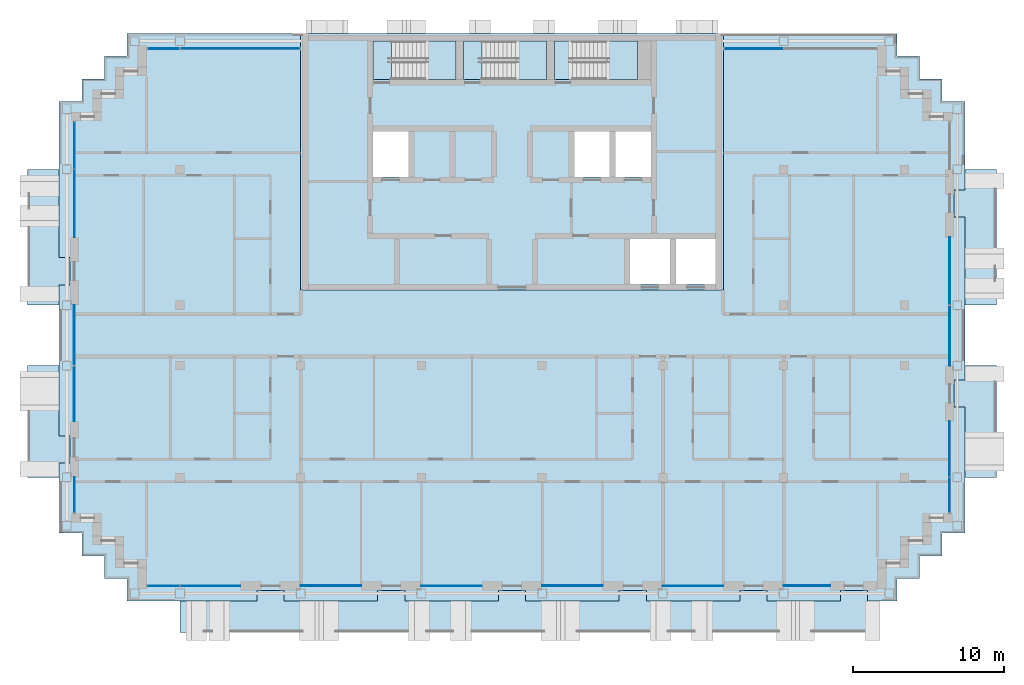
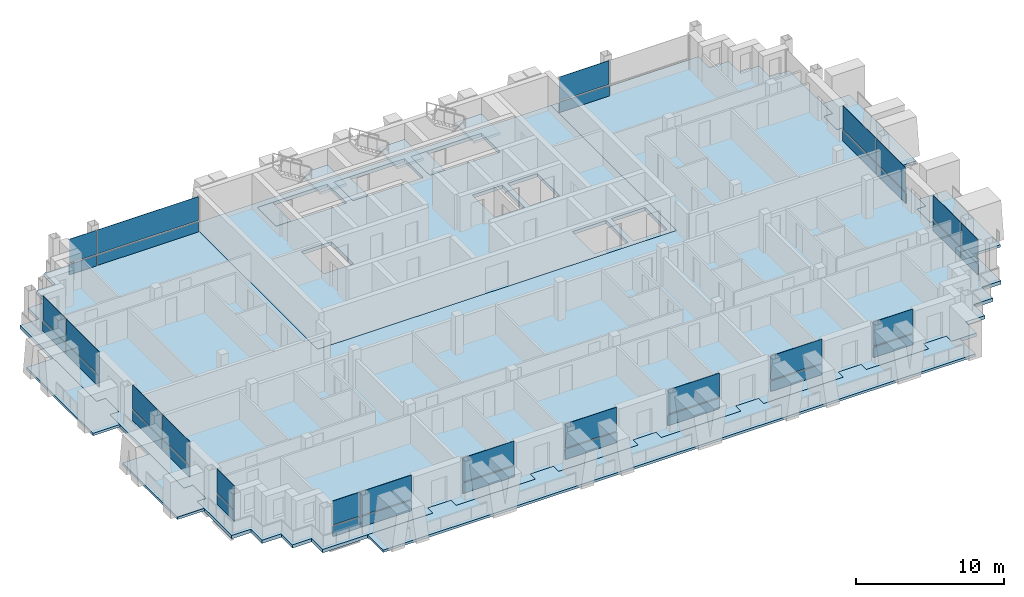
# One storey, part 6 of 15: 38 plates, 13 slabs, 16 elements without a shape of their own.
"""IFC4 building model written with IfcOpenShell, lengths in metres."""

from ifc_helpers import new_model, si_unit, direction, frame, origin, origin_2d, place, context, subcontext, project, spatial, polyline, rectangle, outline, extrude, material, layer, layer_set, type_object, element, aggregate, save


model = new_model("IFC4")

# Units and contexts
model_context = context("Model", 3, precision=1e-05, world=origin(), true_north=direction((0.0, 1.0)))
body_context = subcontext(model_context, "Body", "Model", "MODEL_VIEW")
ifc_project = project(units=[si_unit("LENGTHUNIT", "METRE"), si_unit("AREAUNIT", "SQUARE_METRE"), si_unit("VOLUMEUNIT", "CUBIC_METRE"), si_unit("PLANEANGLEUNIT", "RADIAN"), si_unit("MASSUNIT", "GRAM", prefix="KILO")], contexts=[model_context])

# Site, building, storey
site_placement = place(None, origin())
site = spatial("IfcSite", under=ifc_project, at=site_placement, CompositionType="ELEMENT")
building_placement = place(site_placement, origin())
building = spatial("IfcBuilding", under=site, at=building_placement, Name="Vidyagriha Tower", CompositionType="ELEMENT")
storey_placement = place(building_placement, frame((0.0, 0.0, 210.800048828125)))
storey = spatial("IfcBuildingStorey", under=building, at=storey_placement, Name="L54", CompositionType="ELEMENT", Elevation=210.800048828125)

# Curtain wall, plate
ifc_material_1 = material(Name="Aluminium and glass curtain wall", Category="aluminium")
curtain_wall_type = type_object("IfcCurtainWallType", Name="Dwelling skin unitised curtain wall", PredefinedType="USERDEFINED", material=ifc_material_1)
curtain_wall_1_placement = place(storey_placement, origin())
curtain_wall_1 = element("IfcCurtainWall", 1, at=curtain_wall_1_placement, inside=storey, type_object=curtain_wall_type, Name="CW1 dwelling skin", ObjectType="UNITISED", PredefinedType="USERDEFINED")
ifc_material_2 = material(Name="Glass dark ceramic-fritted spandrel", Category="glass")
ifc_layer_1 = layer(ifc_material_2, 0.0400390625)
ifc_layer_set_1 = layer_set([ifc_layer_1], Name="Glass dark ceramic-fritted spandrel")
plate_type_1 = type_object("IfcPlateType", Name="Ceramic-fritted spandrel panel", PredefinedType="CURTAIN_PANEL", material=ifc_layer_set_1)
plate_1_placement = place(storey_placement, frame((-18.017578125, 19.0, 0.0), z_axis=(0.0, 0.0, 1.0), x_axis=(-1.0, 0.0, 0.0)))
plate_1 = element("IfcPlate", 2, at=plate_1_placement, type_object=plate_type_1, Name="CW1 panel 1.1", PredefinedType="CURTAIN_PANEL", context=body_context, shape_type="SweptSolid", body=[
    extrude(rectangle(XDim=7.89501953125, YDim=0.0400390625, at=origin_2d()), origin(), (0.0, 0.0, 1.0), 0.85009765625),
])

# Curtain wall, plates
curtain_wall_2_placement = place(storey_placement, origin())
curtain_wall_2 = element("IfcCurtainWall", 3, at=curtain_wall_2_placement, inside=storey, type_object=curtain_wall_type, Name="CW1 dwelling skin", ObjectType="UNITISED", PredefinedType="USERDEFINED")
plate_2_placement = place(storey_placement, frame((-29.0, 12.58251953125, 0.0), z_axis=(0.0, 0.0, 1.0), x_axis=(0.0, -1.0, 0.0)))
plate_2 = element("IfcPlate", 4, at=plate_2_placement, type_object=plate_type_1, Name="CW1 panel 1.1", PredefinedType="CURTAIN_PANEL", context=body_context, shape_type="SweptSolid", body=[
    extrude(rectangle(XDim=3.094970703125, YDim=0.0400390625, at=origin_2d()), origin(), (0.0, 0.0, 1.0), 0.85009765625),
])
plate_3_placement = place(storey_placement, frame((-29.0, 8.732421875, 0.0), z_axis=(0.0, 0.0, 1.0), x_axis=(0.0, -1.0, 0.0)))
plate_3 = element("IfcPlate", 5, at=plate_3_placement, type_object=plate_type_1, Name="CW1 panel 2.1", PredefinedType="CURTAIN_PANEL", context=body_context, shape_type="SweptSolid", body=[
    extrude(rectangle(XDim=4.465087890625, YDim=0.0400390625, at=origin_2d()), origin(), (0.0, 0.0, 1.0), 0.85009765625),
])

# Curtain wall, plate
curtain_wall_3_placement = place(storey_placement, origin())
curtain_wall_3 = element("IfcCurtainWall", 6, at=curtain_wall_3_placement, inside=storey, type_object=curtain_wall_type, Name="CW1 dwelling skin", ObjectType="UNITISED", PredefinedType="USERDEFINED")
plate_4_placement = place(storey_placement, frame((-29.0, -10.56494140625, 0.0), z_axis=(0.0, 0.0, 1.0), x_axis=(0.0, -1.0, 0.0)))
plate_4 = element("IfcPlate", 7, at=plate_4_placement, type_object=plate_type_1, Name="CW1 panel 1.1", PredefinedType="CURTAIN_PANEL", context=body_context, shape_type="SweptSolid", body=[
    extrude(rectangle(XDim=2.330078125, YDim=0.0400390625, at=origin_2d()), origin(), (0.0, 0.0, 1.0), 0.85009765625),
])

# Curtain wall, plates
curtain_wall_4_placement = place(storey_placement, origin())
curtain_wall_4 = element("IfcCurtainWall", 8, at=curtain_wall_4_placement, inside=storey, type_object=curtain_wall_type, Name="CW1 dwelling skin", ObjectType="UNITISED", PredefinedType="USERDEFINED")
plate_5_placement = place(storey_placement, frame((-23.08251953125, -16.60009765625, 0.0)))
plate_5 = element("IfcPlate", 9, at=plate_5_placement, type_object=plate_type_1, Name="CW1 panel 1.1", PredefinedType="CURTAIN_PANEL", context=body_context, shape_type="SweptSolid", body=[
    extrude(rectangle(XDim=2.094970703125, YDim=0.0400390625, at=origin_2d()), origin(), (0.0, 0.0, 1.0), 0.85009765625),
])
plate_6_placement = place(storey_placement, frame((-19.982421875, -16.60009765625, 0.0)))
plate_6 = element("IfcPlate", 10, at=plate_6_placement, type_object=plate_type_1, Name="CW1 panel 2.1", PredefinedType="CURTAIN_PANEL", context=body_context, shape_type="SweptSolid", body=[
    extrude(rectangle(XDim=3.965087890625, YDim=0.0400390625, at=origin_2d()), origin(), (0.0, 0.0, 1.0), 0.85009765625),
])

# Curtain wall, plate
curtain_wall_5_placement = place(storey_placement, origin())
curtain_wall_5 = element("IfcCurtainWall", 11, at=curtain_wall_5_placement, inside=storey, type_object=curtain_wall_type, Name="CW1 dwelling skin", ObjectType="UNITISED", PredefinedType="USERDEFINED")
plate_7_placement = place(storey_placement, frame((-4.0, -16.60009765625, 0.0)))
plate_7 = element("IfcPlate", 12, at=plate_7_placement, type_object=plate_type_1, Name="CW1 panel 1.1", PredefinedType="CURTAIN_PANEL", context=body_context, shape_type="SweptSolid", body=[
    extrude(rectangle(XDim=4.0, YDim=0.0400390625, at=origin_2d()), origin(), (0.0, 0.0, 1.0), 0.85009765625),
])

curtain_wall_6_placement = place(storey_placement, origin())
curtain_wall_6 = element("IfcCurtainWall", 13, at=curtain_wall_6_placement, inside=storey, type_object=curtain_wall_type, Name="CW1 dwelling skin", ObjectType="UNITISED", PredefinedType="USERDEFINED")
plate_8_placement = place(storey_placement, frame((12.0, -16.60009765625, 0.0)))
plate_8 = element("IfcPlate", 14, at=plate_8_placement, type_object=plate_type_1, Name="CW1 panel 1.1", PredefinedType="CURTAIN_PANEL", context=body_context, shape_type="SweptSolid", body=[
    extrude(rectangle(XDim=4.0, YDim=0.0400390625, at=origin_2d()), origin(), (0.0, 0.0, 1.0), 0.85009765625),
])

# Curtain wall, plates
curtain_wall_7_placement = place(storey_placement, origin())
curtain_wall_7 = element("IfcCurtainWall", 15, at=curtain_wall_7_placement, inside=storey, type_object=curtain_wall_type, Name="CW1 dwelling skin", ObjectType="UNITISED", PredefinedType="USERDEFINED")
plate_9_placement = place(storey_placement, frame((29.0, -10.58251953125, 0.0), z_axis=(0.0, 0.0, 1.0), x_axis=(0.0, 1.0, 0.0)))
plate_9 = element("IfcPlate", 16, at=plate_9_placement, type_object=plate_type_1, Name="CW1 panel 1.1", PredefinedType="CURTAIN_PANEL", context=body_context, shape_type="SweptSolid", body=[
    extrude(rectangle(XDim=2.294921875, YDim=0.0400390625, at=origin_2d()), origin(), (0.0, 0.0, 1.0), 0.85009765625),
])
plate_10_placement = place(storey_placement, frame((29.0, -7.532470703125, 0.0), z_axis=(0.0, 0.0, 1.0), x_axis=(0.0, 1.0, 0.0)))
plate_10 = element("IfcPlate", 17, at=plate_10_placement, type_object=plate_type_1, Name="CW1 panel 2.1", PredefinedType="CURTAIN_PANEL", context=body_context, shape_type="SweptSolid", body=[
    extrude(rectangle(XDim=3.6650390625, YDim=0.0400390625, at=origin_2d()), origin(), (0.0, 0.0, 1.0), 0.85009765625),
])

# Slab
ifc_material_3 = material(Name="Concrete C60/75", Category="concrete")
ifc_layer_2 = layer(ifc_material_3, 0.280029296875)
ifc_layer_set_2 = layer_set([ifc_layer_2], Name="Concrete C60/75")
slab_type_1 = type_object("IfcSlabType", Name="Core floor slab 280 mm", PredefinedType="FLOOR", material=ifc_layer_set_2)
slab_1_placement = place(storey_placement, frame((0.0, 0.0, -0.280029296875)))
element("IfcSlab", 18, at=slab_1_placement, inside=storey, type_object=slab_type_1, Name="L54 core floor 1", PredefinedType="FLOOR", context=body_context, shape_type="SweptSolid", body=[
    extrude(outline(polyline([(-14.0, 3.0), (-14.0, 20.0), (14.0, 20.0), (14.0, 3.0), (-14.0, 3.0)]), holes=[polyline([(13.5, 6.39990234375), (10.855712890625, 6.39990234375), (10.855712890625, 3.39990234375), (13.5, 3.39990234375), (13.5, 6.39990234375)]), polyline([(10.45556640625, 6.39990234375), (7.81103515625, 6.39990234375), (7.81103515625, 3.39990234375), (10.45556640625, 3.39990234375), (10.45556640625, 6.39990234375)]), polyline([(9.199951171875, 13.5), (6.86669921875, 13.5), (6.86669921875, 10.5), (9.199951171875, 10.5), (9.199951171875, 13.5)]), polyline([(2.800048828125, 19.5), (2.800048828125, 16.949951171875), (4.0, 16.949951171875), (8.300048828125, 16.949951171875), (8.300048828125, 19.5), (4.0, 19.5), (2.800048828125, 19.5)]), polyline([(4.13330078125, 13.5), (4.13330078125, 10.5), (6.466796875, 10.5), (6.466796875, 13.5), (4.13330078125, 13.5)]), polyline([(-2.0, 19.5), (-3.199951171875, 19.5), (-3.199951171875, 16.949951171875), (-2.0, 16.949951171875), (2.300048828125, 16.949951171875), (2.300048828125, 19.5), (-2.0, 19.5)]), polyline([(-9.199951171875, 19.5), (-9.199951171875, 16.949951171875), (-8.0, 16.949951171875), (-3.699951171875, 16.949951171875), (-3.699951171875, 19.5), (-8.0, 19.5), (-9.199951171875, 19.5)]), polyline([(-9.199951171875, 13.5), (-9.199951171875, 10.5), (-6.86669921875, 10.5), (-6.86669921875, 13.5), (-9.199951171875, 13.5)])]), origin(), (0.0, 0.0, 1.0), 0.280029296875),
])

# Curtain wall, plate
curtain_wall_8_placement = place(storey_placement, origin())
curtain_wall_8 = element("IfcCurtainWall", 19, at=curtain_wall_8_placement, inside=storey, type_object=curtain_wall_type, Name="CW1 dwelling skin", ObjectType="UNITISED", PredefinedType="USERDEFINED")
ifc_material_4 = material(Name="Glass dark ceramic-fritted", Category="glass")
ifc_layer_3 = layer(ifc_material_4, 0.028076171875)
ifc_layer_set_3 = layer_set([ifc_layer_3], Name="Glass dark ceramic-fritted")
plate_type_2 = type_object("IfcPlateType", Name="Dark ceramic-fritted vision glass panel", PredefinedType="CURTAIN_PANEL", material=ifc_layer_set_3)
plate_11_placement = place(storey_placement, frame((16.017578125, 19.0, 0.9501953125), z_axis=(0.0, 0.0, 1.0), x_axis=(-1.0, 0.0, 0.0)))
plate_11 = element("IfcPlate", 20, at=plate_11_placement, type_object=plate_type_2, Name="CW1 panel 2.2", PredefinedType="CURTAIN_PANEL", context=body_context, shape_type="SweptSolid", body=[
    extrude(rectangle(XDim=3.89501953125, YDim=0.028076171875, at=origin_2d()), origin(), (0.0, 0.0, 1.0), 1.969970703125),
])

# Plate
plate_12_placement = place(storey_placement, frame((-18.017578125, 19.0, 0.9501953125), z_axis=(0.0, 0.0, 1.0), x_axis=(-1.0, 0.0, 0.0)))
plate_12 = element("IfcPlate", 21, at=plate_12_placement, type_object=plate_type_2, Name="CW1 panel 1.2", PredefinedType="CURTAIN_PANEL", context=body_context, shape_type="SweptSolid", body=[
    extrude(rectangle(XDim=7.89501953125, YDim=0.028076171875, at=origin_2d()), origin(), (0.0, 0.0, 1.0), 1.969970703125),
])

plate_13_placement = place(storey_placement, frame((-23.08251953125, 19.0, 0.9501953125), z_axis=(0.0, 0.0, 1.0), x_axis=(-1.0, 0.0, 0.0)))
plate_13 = element("IfcPlate", 22, at=plate_13_placement, type_object=plate_type_2, Name="CW1 panel 2.2", PredefinedType="CURTAIN_PANEL", context=body_context, shape_type="SweptSolid", body=[
    extrude(rectangle(XDim=2.094970703125, YDim=0.028076171875, at=origin_2d()), origin(), (0.0, 0.0, 1.0), 1.969970703125),
])

plate_14_placement = place(storey_placement, frame((-29.0, 12.58251953125, 0.9501953125), z_axis=(0.0, 0.0, 1.0), x_axis=(0.0, -1.0, 0.0)))
plate_14 = element("IfcPlate", 23, at=plate_14_placement, type_object=plate_type_2, Name="CW1 panel 1.2", PredefinedType="CURTAIN_PANEL", context=body_context, shape_type="SweptSolid", body=[
    extrude(rectangle(XDim=3.094970703125, YDim=0.028076171875, at=origin_2d()), origin(), (0.0, 0.0, 1.0), 1.969970703125),
])

plate_15_placement = place(storey_placement, frame((-29.0, 8.732421875, 0.9501953125), z_axis=(0.0, 0.0, 1.0), x_axis=(0.0, -1.0, 0.0)))
plate_15 = element("IfcPlate", 24, at=plate_15_placement, type_object=plate_type_2, Name="CW1 panel 2.2", PredefinedType="CURTAIN_PANEL", context=body_context, shape_type="SweptSolid", body=[
    extrude(rectangle(XDim=4.465087890625, YDim=0.028076171875, at=origin_2d()), origin(), (0.0, 0.0, 1.0), 1.969970703125),
])

aggregate(curtain_wall_2, [plate_2, plate_14, plate_3, plate_15])

# Curtain wall, plates
curtain_wall_9_placement = place(storey_placement, origin())
curtain_wall_9 = element("IfcCurtainWall", 25, at=curtain_wall_9_placement, inside=storey, type_object=curtain_wall_type, Name="CW1 dwelling skin", ObjectType="UNITISED", PredefinedType="USERDEFINED")
plate_16_placement = place(storey_placement, frame((-29.0, 0.017578125, 0.9501953125), z_axis=(0.0, 0.0, 1.0), x_axis=(0.0, -1.0, 0.0)))
plate_16 = element("IfcPlate", 26, at=plate_16_placement, type_object=plate_type_2, Name="CW1 panel 1.2", PredefinedType="CURTAIN_PANEL", context=body_context, shape_type="SweptSolid", body=[
    extrude(rectangle(XDim=3.965087890625, YDim=0.028076171875, at=origin_2d()), origin(), (0.0, 0.0, 1.0), 1.969970703125),
])
plate_17_placement = place(storey_placement, frame((-29.0, -3.867431640625, 0.9501953125), z_axis=(0.0, 0.0, 1.0), x_axis=(0.0, -1.0, 0.0)))
plate_17 = element("IfcPlate", 27, at=plate_17_placement, type_object=plate_type_2, Name="CW1 panel 2.2", PredefinedType="CURTAIN_PANEL", context=body_context, shape_type="SweptSolid", body=[
    extrude(rectangle(XDim=3.6650390625, YDim=0.028076171875, at=origin_2d()), origin(), (0.0, 0.0, 1.0), 1.969970703125),
])

# Plate
plate_18_placement = place(storey_placement, frame((-29.0, -10.56494140625, 0.9501953125), z_axis=(0.0, 0.0, 1.0), x_axis=(0.0, -1.0, 0.0)))
plate_18 = element("IfcPlate", 28, at=plate_18_placement, type_object=plate_type_2, Name="CW1 panel 1.2", PredefinedType="CURTAIN_PANEL", context=body_context, shape_type="SweptSolid", body=[
    extrude(rectangle(XDim=2.330078125, YDim=0.028076171875, at=origin_2d()), origin(), (0.0, 0.0, 1.0), 1.969970703125),
])

aggregate(curtain_wall_3, [plate_4, plate_18])

plate_19_placement = place(storey_placement, frame((-23.08251953125, -16.60009765625, 0.9501953125)))
plate_19 = element("IfcPlate", 29, at=plate_19_placement, type_object=plate_type_2, Name="CW1 panel 1.2", PredefinedType="CURTAIN_PANEL", context=body_context, shape_type="SweptSolid", body=[
    extrude(rectangle(XDim=2.094970703125, YDim=0.028076171875, at=origin_2d()), origin(), (0.0, 0.0, 1.0), 1.969970703125),
])

plate_20_placement = place(storey_placement, frame((-19.982421875, -16.60009765625, 0.9501953125)))
plate_20 = element("IfcPlate", 30, at=plate_20_placement, type_object=plate_type_2, Name="CW1 panel 2.2", PredefinedType="CURTAIN_PANEL", context=body_context, shape_type="SweptSolid", body=[
    extrude(rectangle(XDim=3.965087890625, YDim=0.028076171875, at=origin_2d()), origin(), (0.0, 0.0, 1.0), 1.969970703125),
])

aggregate(curtain_wall_4, [plate_5, plate_19, plate_6, plate_20])

# Curtain wall, plate
curtain_wall_10_placement = place(storey_placement, origin())
curtain_wall_10 = element("IfcCurtainWall", 31, at=curtain_wall_10_placement, inside=storey, type_object=curtain_wall_type, Name="CW1 dwelling skin", ObjectType="UNITISED", PredefinedType="USERDEFINED")
plate_21_placement = place(storey_placement, frame((-12.0, -16.60009765625, 0.9501953125)))
plate_21 = element("IfcPlate", 32, at=plate_21_placement, type_object=plate_type_2, Name="CW1 panel 1.2", PredefinedType="CURTAIN_PANEL", context=body_context, shape_type="SweptSolid", body=[
    extrude(rectangle(XDim=4.0, YDim=0.028076171875, at=origin_2d()), origin(), (0.0, 0.0, 1.0), 1.969970703125),
])

# Plate
plate_22_placement = place(storey_placement, frame((-4.0, -16.60009765625, 0.9501953125)))
plate_22 = element("IfcPlate", 33, at=plate_22_placement, type_object=plate_type_2, Name="CW1 panel 1.2", PredefinedType="CURTAIN_PANEL", context=body_context, shape_type="SweptSolid", body=[
    extrude(rectangle(XDim=4.0, YDim=0.028076171875, at=origin_2d()), origin(), (0.0, 0.0, 1.0), 1.969970703125),
])

aggregate(curtain_wall_5, [plate_7, plate_22])

# Curtain wall, plate
curtain_wall_11_placement = place(storey_placement, origin())
curtain_wall_11 = element("IfcCurtainWall", 34, at=curtain_wall_11_placement, inside=storey, type_object=curtain_wall_type, Name="CW1 dwelling skin", ObjectType="UNITISED", PredefinedType="USERDEFINED")
plate_23_placement = place(storey_placement, frame((4.0, -16.60009765625, 0.9501953125)))
plate_23 = element("IfcPlate", 35, at=plate_23_placement, type_object=plate_type_2, Name="CW1 panel 1.2", PredefinedType="CURTAIN_PANEL", context=body_context, shape_type="SweptSolid", body=[
    extrude(rectangle(XDim=4.0, YDim=0.028076171875, at=origin_2d()), origin(), (0.0, 0.0, 1.0), 1.969970703125),
])

# Plate
plate_24_placement = place(storey_placement, frame((12.0, -16.60009765625, 0.9501953125)))
plate_24 = element("IfcPlate", 36, at=plate_24_placement, type_object=plate_type_2, Name="CW1 panel 1.2", PredefinedType="CURTAIN_PANEL", context=body_context, shape_type="SweptSolid", body=[
    extrude(rectangle(XDim=4.0, YDim=0.028076171875, at=origin_2d()), origin(), (0.0, 0.0, 1.0), 1.969970703125),
])

aggregate(curtain_wall_6, [plate_8, plate_24])

# Curtain wall, plate
curtain_wall_12_placement = place(storey_placement, origin())
curtain_wall_12 = element("IfcCurtainWall", 37, at=curtain_wall_12_placement, inside=storey, type_object=curtain_wall_type, Name="CW1 dwelling skin", ObjectType="UNITISED", PredefinedType="USERDEFINED")
plate_25_placement = place(storey_placement, frame((19.550048828125, -16.60009765625, 0.9501953125)))
plate_25 = element("IfcPlate", 38, at=plate_25_placement, type_object=plate_type_2, Name="CW1 panel 1.2", PredefinedType="CURTAIN_PANEL", context=body_context, shape_type="SweptSolid", body=[
    extrude(rectangle(XDim=3.10009765625, YDim=0.028076171875, at=origin_2d()), origin(), (0.0, 0.0, 1.0), 1.969970703125),
])

# Plate
plate_26_placement = place(storey_placement, frame((29.0, -10.58251953125, 0.9501953125), z_axis=(0.0, 0.0, 1.0), x_axis=(0.0, 1.0, 0.0)))
plate_26 = element("IfcPlate", 39, at=plate_26_placement, type_object=plate_type_2, Name="CW1 panel 1.2", PredefinedType="CURTAIN_PANEL", context=body_context, shape_type="SweptSolid", body=[
    extrude(rectangle(XDim=2.294921875, YDim=0.028076171875, at=origin_2d()), origin(), (0.0, 0.0, 1.0), 1.969970703125),
])

plate_27_placement = place(storey_placement, frame((29.0, -7.532470703125, 0.9501953125), z_axis=(0.0, 0.0, 1.0), x_axis=(0.0, 1.0, 0.0)))
plate_27 = element("IfcPlate", 40, at=plate_27_placement, type_object=plate_type_2, Name="CW1 panel 2.2", PredefinedType="CURTAIN_PANEL", context=body_context, shape_type="SweptSolid", body=[
    extrude(rectangle(XDim=3.6650390625, YDim=0.028076171875, at=origin_2d()), origin(), (0.0, 0.0, 1.0), 1.969970703125),
])

aggregate(curtain_wall_7, [plate_9, plate_26, plate_10, plate_27])

# Curtain wall, plates
curtain_wall_13_placement = place(storey_placement, origin())
curtain_wall_13 = element("IfcCurtainWall", 41, at=curtain_wall_13_placement, inside=storey, type_object=curtain_wall_type, Name="CW1 dwelling skin", ObjectType="UNITISED", PredefinedType="USERDEFINED")
plate_28_placement = place(storey_placement, frame((29.0, -0.017578125, 0.9501953125), z_axis=(0.0, 0.0, 1.0), x_axis=(0.0, 1.0, 0.0)))
plate_28 = element("IfcPlate", 42, at=plate_28_placement, type_object=plate_type_2, Name="CW1 panel 1.2", PredefinedType="CURTAIN_PANEL", context=body_context, shape_type="SweptSolid", body=[
    extrude(rectangle(XDim=3.965087890625, YDim=0.028076171875, at=origin_2d()), origin(), (0.0, 0.0, 1.0), 1.969970703125),
])
plate_29_placement = place(storey_placement, frame((29.0, 4.267578125, 0.9501953125), z_axis=(0.0, 0.0, 1.0), x_axis=(0.0, 1.0, 0.0)))
plate_29 = element("IfcPlate", 43, at=plate_29_placement, type_object=plate_type_2, Name="CW1 panel 2.2", PredefinedType="CURTAIN_PANEL", context=body_context, shape_type="SweptSolid", body=[
    extrude(rectangle(XDim=4.465087890625, YDim=0.028076171875, at=origin_2d()), origin(), (0.0, 0.0, 1.0), 1.969970703125),
])

# Slabs
ifc_material_5 = material(Name="Concrete C40/50", Category="concrete")
ifc_layer_4 = layer(ifc_material_5, 0.280029296875)
ifc_layer_set_4 = layer_set([ifc_layer_4], Name="Concrete C40/50")
slab_type_2 = type_object("IfcSlabType", Name="Exit stair floor landing 280 mm", PredefinedType="LANDING", material=ifc_layer_set_4)
slab_2_placement = place(storey_placement, frame((0.0, 0.0, -0.280029296875)))
element("IfcSlab", 44, at=slab_2_placement, inside=storey, type_object=slab_type_2, Name="ST1 floor landing L54", PredefinedType="LANDING", context=body_context, shape_type="SweptSolid", body=[
    extrude(outline(polyline([(-9.199951171875, 16.949951171875), (-8.0, 16.949951171875), (-8.0, 19.5), (-9.199951171875, 19.5), (-9.199951171875, 16.949951171875)])), origin(), (0.0, 0.0, 1.0), 0.280029296875),
])
slab_3_placement = place(storey_placement, frame((0.0, 0.0, -0.280029296875)))
element("IfcSlab", 45, at=slab_3_placement, inside=storey, type_object=slab_type_2, Name="ST2 floor landing L54", PredefinedType="LANDING", context=body_context, shape_type="SweptSolid", body=[
    extrude(outline(polyline([(-3.199951171875, 16.949951171875), (-2.0, 16.949951171875), (-2.0, 19.5), (-3.199951171875, 19.5), (-3.199951171875, 16.949951171875)])), origin(), (0.0, 0.0, 1.0), 0.280029296875),
])
slab_4_placement = place(storey_placement, frame((0.0, 0.0, -0.280029296875)))
element("IfcSlab", 46, at=slab_4_placement, inside=storey, type_object=slab_type_2, Name="ST3 floor landing L54", PredefinedType="LANDING", context=body_context, shape_type="SweptSolid", body=[
    extrude(outline(polyline([(2.800048828125, 16.949951171875), (4.0, 16.949951171875), (4.0, 19.5), (2.800048828125, 19.5), (2.800048828125, 16.949951171875)])), origin(), (0.0, 0.0, 1.0), 0.280029296875),
])

# Stair, slab
ifc_material_6 = material(Name="Concrete C40/50", Category="concrete")
stair_type = type_object("IfcStairType", Name="Exit stair, half-turn, precast flights", PredefinedType="HALF_TURN_STAIR", material=ifc_material_6)
stair_1_placement = place(storey_placement, origin())
stair_1 = element("IfcStair", 47, at=stair_1_placement, inside=storey, type_object=stair_type, Name="L54 Exit Stair ST1", PredefinedType="HALF_TURN_STAIR")
ifc_material_7 = material(Name="Concrete C40/50", Category="concrete")
ifc_layer_5 = layer(ifc_material_7, 0.199951171875)
ifc_layer_set_5 = layer_set([ifc_layer_5], Name="Concrete C40/50")
slab_type_3 = type_object("IfcSlabType", Name="Exit stair landing 200 mm", PredefinedType="LANDING", material=ifc_layer_set_5)
slab_5_placement = place(storey_placement, frame((0.0, 0.0, 1.39990234375)))
slab_5 = element("IfcSlab", 48, at=slab_5_placement, type_object=slab_type_3, Name="ST1 landing 1", PredefinedType="LANDING", context=body_context, shape_type="SweptSolid", body=[
    extrude(outline(polyline([(-5.760009765625, 16.949951171875), (-3.699951171875, 16.949951171875), (-3.699951171875, 19.5), (-5.760009765625, 19.5), (-5.760009765625, 16.949951171875)])), origin(), (0.0, 0.0, 1.0), 0.199951171875),
])
aggregate(stair_1, [slab_5])

stair_2_placement = place(storey_placement, origin())
stair_2 = element("IfcStair", 49, at=stair_2_placement, inside=storey, type_object=stair_type, Name="L54 Exit Stair ST2", PredefinedType="HALF_TURN_STAIR")
slab_6_placement = place(storey_placement, frame((0.0, 0.0, 1.39990234375)))
slab_6 = element("IfcSlab", 50, at=slab_6_placement, type_object=slab_type_3, Name="ST2 landing 1", PredefinedType="LANDING", context=body_context, shape_type="SweptSolid", body=[
    extrude(outline(polyline([(0.239990234375, 16.949951171875), (2.300048828125, 16.949951171875), (2.300048828125, 19.5), (0.239990234375, 19.5), (0.239990234375, 16.949951171875)])), origin(), (0.0, 0.0, 1.0), 0.199951171875),
])
aggregate(stair_2, [slab_6])

stair_3_placement = place(storey_placement, origin())
stair_3 = element("IfcStair", 51, at=stair_3_placement, inside=storey, type_object=stair_type, Name="L54 Exit Stair ST3", PredefinedType="HALF_TURN_STAIR")
slab_7_placement = place(storey_placement, frame((0.0, 0.0, 1.39990234375)))
slab_7 = element("IfcSlab", 52, at=slab_7_placement, type_object=slab_type_3, Name="ST3 landing 1", PredefinedType="LANDING", context=body_context, shape_type="SweptSolid", body=[
    extrude(outline(polyline([(6.239990234375, 16.949951171875), (8.300048828125, 16.949951171875), (8.300048828125, 19.5), (6.239990234375, 19.5), (6.239990234375, 16.949951171875)])), origin(), (0.0, 0.0, 1.0), 0.199951171875),
])
aggregate(stair_3, [slab_7])

# Plate
ifc_material_8 = material(Name="Aluminium black anodised", Category="aluminium")
ifc_layer_6 = layer(ifc_material_8, 0.06005859375)
ifc_layer_set_6 = layer_set([ifc_layer_6], Name="Aluminium black anodised")
plate_type_3 = type_object("IfcPlateType", Name="Operable black-metal vent panel", PredefinedType="CURTAIN_PANEL", material=ifc_layer_set_6)
plate_30_placement = place(storey_placement, frame((16.017578125, 19.0, 0.0), z_axis=(0.0, 0.0, 1.0), x_axis=(-1.0, 0.0, 0.0)))
plate_30 = element("IfcPlate", 53, at=plate_30_placement, type_object=plate_type_3, Name="CW1 panel 2.1", PredefinedType="CURTAIN_PANEL", context=body_context, shape_type="SweptSolid", body=[
    extrude(rectangle(XDim=3.89501953125, YDim=0.06005859375, at=origin_2d()), origin(), (0.0, 0.0, 1.0), 0.85009765625),
])

aggregate(curtain_wall_8, [plate_30, plate_11])

plate_31_placement = place(storey_placement, frame((-23.08251953125, 19.0, 0.0), z_axis=(0.0, 0.0, 1.0), x_axis=(-1.0, 0.0, 0.0)))
plate_31 = element("IfcPlate", 54, at=plate_31_placement, type_object=plate_type_3, Name="CW1 panel 2.1", PredefinedType="CURTAIN_PANEL", context=body_context, shape_type="SweptSolid", body=[
    extrude(rectangle(XDim=2.094970703125, YDim=0.06005859375, at=origin_2d()), origin(), (0.0, 0.0, 1.0), 0.85009765625),
])

aggregate(curtain_wall_1, [plate_1, plate_12, plate_31, plate_13])

plate_32_placement = place(storey_placement, frame((-29.0, 0.017578125, 0.0), z_axis=(0.0, 0.0, 1.0), x_axis=(0.0, -1.0, 0.0)))
plate_32 = element("IfcPlate", 55, at=plate_32_placement, type_object=plate_type_3, Name="CW1 panel 1.1", PredefinedType="CURTAIN_PANEL", context=body_context, shape_type="SweptSolid", body=[
    extrude(rectangle(XDim=3.965087890625, YDim=0.06005859375, at=origin_2d()), origin(), (0.0, 0.0, 1.0), 0.85009765625),
])

plate_33_placement = place(storey_placement, frame((-29.0, -3.867431640625, 0.0), z_axis=(0.0, 0.0, 1.0), x_axis=(0.0, -1.0, 0.0)))
plate_33 = element("IfcPlate", 56, at=plate_33_placement, type_object=plate_type_3, Name="CW1 panel 2.1", PredefinedType="CURTAIN_PANEL", context=body_context, shape_type="SweptSolid", body=[
    extrude(rectangle(XDim=3.6650390625, YDim=0.06005859375, at=origin_2d()), origin(), (0.0, 0.0, 1.0), 0.85009765625),
])

aggregate(curtain_wall_9, [plate_32, plate_16, plate_33, plate_17])

plate_34_placement = place(storey_placement, frame((-12.0, -16.60009765625, 0.0)))
plate_34 = element("IfcPlate", 57, at=plate_34_placement, type_object=plate_type_3, Name="CW1 panel 1.1", PredefinedType="CURTAIN_PANEL", context=body_context, shape_type="SweptSolid", body=[
    extrude(rectangle(XDim=4.0, YDim=0.06005859375, at=origin_2d()), origin(), (0.0, 0.0, 1.0), 0.85009765625),
])

aggregate(curtain_wall_10, [plate_34, plate_21])

plate_35_placement = place(storey_placement, frame((4.0, -16.60009765625, 0.0)))
plate_35 = element("IfcPlate", 58, at=plate_35_placement, type_object=plate_type_3, Name="CW1 panel 1.1", PredefinedType="CURTAIN_PANEL", context=body_context, shape_type="SweptSolid", body=[
    extrude(rectangle(XDim=4.0, YDim=0.06005859375, at=origin_2d()), origin(), (0.0, 0.0, 1.0), 0.85009765625),
])

aggregate(curtain_wall_11, [plate_35, plate_23])

plate_36_placement = place(storey_placement, frame((19.550048828125, -16.60009765625, 0.0)))
plate_36 = element("IfcPlate", 59, at=plate_36_placement, type_object=plate_type_3, Name="CW1 panel 1.1", PredefinedType="CURTAIN_PANEL", context=body_context, shape_type="SweptSolid", body=[
    extrude(rectangle(XDim=3.10009765625, YDim=0.06005859375, at=origin_2d()), origin(), (0.0, 0.0, 1.0), 0.85009765625),
])

aggregate(curtain_wall_12, [plate_36, plate_25])

plate_37_placement = place(storey_placement, frame((29.0, -0.017578125, 0.0), z_axis=(0.0, 0.0, 1.0), x_axis=(0.0, 1.0, 0.0)))
plate_37 = element("IfcPlate", 60, at=plate_37_placement, type_object=plate_type_3, Name="CW1 panel 1.1", PredefinedType="CURTAIN_PANEL", context=body_context, shape_type="SweptSolid", body=[
    extrude(rectangle(XDim=3.965087890625, YDim=0.06005859375, at=origin_2d()), origin(), (0.0, 0.0, 1.0), 0.85009765625),
])

plate_38_placement = place(storey_placement, frame((29.0, 4.267578125, 0.0), z_axis=(0.0, 0.0, 1.0), x_axis=(0.0, 1.0, 0.0)))
plate_38 = element("IfcPlate", 61, at=plate_38_placement, type_object=plate_type_3, Name="CW1 panel 2.1", PredefinedType="CURTAIN_PANEL", context=body_context, shape_type="SweptSolid", body=[
    extrude(rectangle(XDim=4.465087890625, YDim=0.06005859375, at=origin_2d()), origin(), (0.0, 0.0, 1.0), 0.85009765625),
])

aggregate(curtain_wall_13, [plate_37, plate_28, plate_38, plate_29])

# Slabs
ifc_material_9 = material(Name="Concrete C50/60", Category="concrete")
ifc_layer_7 = layer(ifc_material_9, 0.280029296875)
ifc_layer_set_7 = layer_set([ifc_layer_7], Name="Concrete C50/60")
slab_type_4 = type_object("IfcSlabType", Name="Post-tensioned flat plate 280", PredefinedType="FLOOR", material=ifc_layer_set_7)
slab_8_placement = place(storey_placement, frame((0.0, 0.0, -0.280029296875)))
element("IfcSlab", 62, at=slab_8_placement, inside=storey, type_object=slab_type_4, Name="st-slab-L54-1", PredefinedType="FLOOR", context=body_context, shape_type="SweptSolid", body=[
    extrude(outline(polyline([(28.5, -14.60009765625), (27.0, -14.60009765625), (27.0, -16.10009765625), (25.5, -16.10009765625), (25.5, -17.60009765625), (23.550048828125, -17.60009765625), (23.550048828125, -16.89990234375), (21.75, -16.89990234375), (21.75, -17.60009765625), (16.89990234375, -17.60009765625), (16.89990234375, -16.89990234375), (15.10009765625, -16.89990234375), (15.10009765625, -17.60009765625), (8.89990234375, -17.60009765625), (8.89990234375, -16.89990234375), (7.10009765625, -16.89990234375), (7.10009765625, -17.60009765625), (0.89990234375, -17.60009765625), (0.89990234375, -16.89990234375), (-0.89990234375, -16.89990234375), (-0.89990234375, -17.60009765625), (-7.10009765625, -17.60009765625), (-7.10009765625, -16.89990234375), (-8.89990234375, -16.89990234375), (-8.89990234375, -17.60009765625), (-15.10009765625, -17.60009765625), (-15.10009765625, -16.89990234375), (-16.89990234375, -16.89990234375), (-16.89990234375, -17.60009765625), (-25.5, -17.60009765625), (-25.5, -16.10009765625), (-27.0, -16.10009765625), (-27.0, -14.60009765625), (-28.5, -14.60009765625), (-28.5, -13.10009765625), (-30.0, -13.10009765625), (-30.0, -8.449951171875), (-29.300048828125, -8.449951171875), (-29.300048828125, -6.64990234375), (-30.0, -6.64990234375), (-30.0, 3.35009765625), (-29.300048828125, 3.35009765625), (-29.300048828125, 5.14990234375), (-30.0, 5.14990234375), (-30.0, 15.5), (-28.5, 15.5), (-28.5, 17.0), (-27.0, 17.0), (-27.0, 18.5), (-25.5, 18.5), (-25.5, 20.0), (-14.0, 20.0), (-14.0, 3.0), (14.0, 3.0), (14.0, 20.0), (25.5, 20.0), (25.5, 18.5), (27.0, 18.5), (27.0, 17.0), (28.5, 17.0), (28.5, 15.5), (30.0, 15.5), (30.0, 9.64990234375), (29.300048828125, 9.64990234375), (29.300048828125, 7.85009765625), (30.0, 7.85009765625), (30.0, -2.949951171875), (29.300048828125, -2.949951171875), (29.300048828125, -4.75), (30.0, -4.75), (30.0, -13.10009765625), (28.5, -13.10009765625), (28.5, -14.60009765625)])), origin(), (0.0, 0.0, 1.0), 0.280029296875),
])
ifc_material_10 = material(Name="Precast concrete C40/50", Category="concrete")
ifc_layer_8 = layer(ifc_material_10, 0.199951171875)
ifc_layer_set_8 = layer_set([ifc_layer_8], Name="Precast concrete C40/50")
slab_type_5 = type_object("IfcSlabType", Name="Precast balcony slab 200", PredefinedType="USERDEFINED", material=ifc_layer_set_8)
slab_9_placement = place(storey_placement, frame((0.0, 0.0, -0.199951171875)))
element("IfcSlab", 63, at=slab_9_placement, inside=storey, type_object=slab_type_5, Name="Balcony slab L54 R16.1-1", ObjectType="BALCONY", PredefinedType="USERDEFINED", context=body_context, shape_type="SweptSolid", body=[
    extrude(outline(polyline([(-29.300048828125, 3.35009765625), (-29.300048828125, 5.14990234375), (-30.0, 5.14990234375), (-30.0, 11.0), (-32.10009765625, 11.0), (-32.10009765625, 2.0), (-30.0, 2.0), (-30.0, 3.35009765625), (-29.300048828125, 3.35009765625)])), origin(), (0.0, 0.0, 1.0), 0.199951171875),
])
slab_10_placement = place(storey_placement, frame((0.0, 0.0, -0.199951171875)))
element("IfcSlab", 64, at=slab_10_placement, inside=storey, type_object=slab_type_5, Name="Balcony slab L54 R16.2-2", ObjectType="BALCONY", PredefinedType="USERDEFINED", context=body_context, shape_type="SweptSolid", body=[
    extrude(outline(polyline([(-29.300048828125, -8.449951171875), (-29.300048828125, -6.64990234375), (-30.0, -6.64990234375), (-30.0, -2.0), (-32.10009765625, -2.0), (-32.10009765625, -9.39990234375), (-30.0, -9.39990234375), (-30.0, -8.449951171875), (-29.300048828125, -8.449951171875)])), origin(), (0.0, 0.0, 1.0), 0.199951171875),
])
slab_11_placement = place(storey_placement, frame((0.0, 0.0, -0.199951171875)))
element("IfcSlab", 65, at=slab_11_placement, inside=storey, type_object=slab_type_5, Name="Balcony slab L54 R23.1-6", ObjectType="BALCONY", PredefinedType="USERDEFINED", context=body_context, shape_type="SweptSolid", body=[
    extrude(outline(polyline([(-16.89990234375, -16.89990234375), (-16.89990234375, -17.60009765625), (-22.0, -17.60009765625), (-22.0, -19.699951171875), (24.199951171875, -19.699951171875), (24.199951171875, -17.60009765625), (23.550048828125, -17.60009765625), (23.550048828125, -16.89990234375), (21.75, -16.89990234375), (21.75, -17.60009765625), (16.89990234375, -17.60009765625), (16.89990234375, -16.89990234375), (15.10009765625, -16.89990234375), (15.10009765625, -17.60009765625), (8.89990234375, -17.60009765625), (8.89990234375, -16.89990234375), (7.10009765625, -16.89990234375), (7.10009765625, -17.60009765625), (0.89990234375, -17.60009765625), (0.89990234375, -16.89990234375), (-0.89990234375, -16.89990234375), (-0.89990234375, -17.60009765625), (-7.10009765625, -17.60009765625), (-7.10009765625, -16.89990234375), (-8.89990234375, -16.89990234375), (-8.89990234375, -17.60009765625), (-15.10009765625, -17.60009765625), (-15.10009765625, -16.89990234375), (-16.89990234375, -16.89990234375)])), origin(), (0.0, 0.0, 1.0), 0.199951171875),
])
slab_12_placement = place(storey_placement, frame((0.0, 0.0, -0.199951171875)))
element("IfcSlab", 66, at=slab_12_placement, inside=storey, type_object=slab_type_5, Name="Balcony slab L54 R30.1-1", ObjectType="BALCONY", PredefinedType="USERDEFINED", context=body_context, shape_type="SweptSolid", body=[
    extrude(outline(polyline([(30.0, -4.75), (30.0, -9.39990234375), (32.10009765625, -9.39990234375), (32.10009765625, -2.0), (30.0, -2.0), (30.0, -2.949951171875), (29.300048828125, -2.949951171875), (29.300048828125, -4.75), (30.0, -4.75)])), origin(), (0.0, 0.0, 1.0), 0.199951171875),
])
slab_13_placement = place(storey_placement, frame((0.0, 0.0, -0.199951171875)))
element("IfcSlab", 67, at=slab_13_placement, inside=storey, type_object=slab_type_5, Name="Balcony slab L54 R30.2-2", ObjectType="BALCONY", PredefinedType="USERDEFINED", context=body_context, shape_type="SweptSolid", body=[
    extrude(outline(polyline([(30.0, 7.85009765625), (30.0, 2.0), (32.10009765625, 2.0), (32.10009765625, 11.0), (30.0, 11.0), (30.0, 9.64990234375), (29.300048828125, 9.64990234375), (29.300048828125, 7.85009765625), (30.0, 7.85009765625)])), origin(), (0.0, 0.0, 1.0), 0.199951171875),
])

save(model, "model.ifc")
